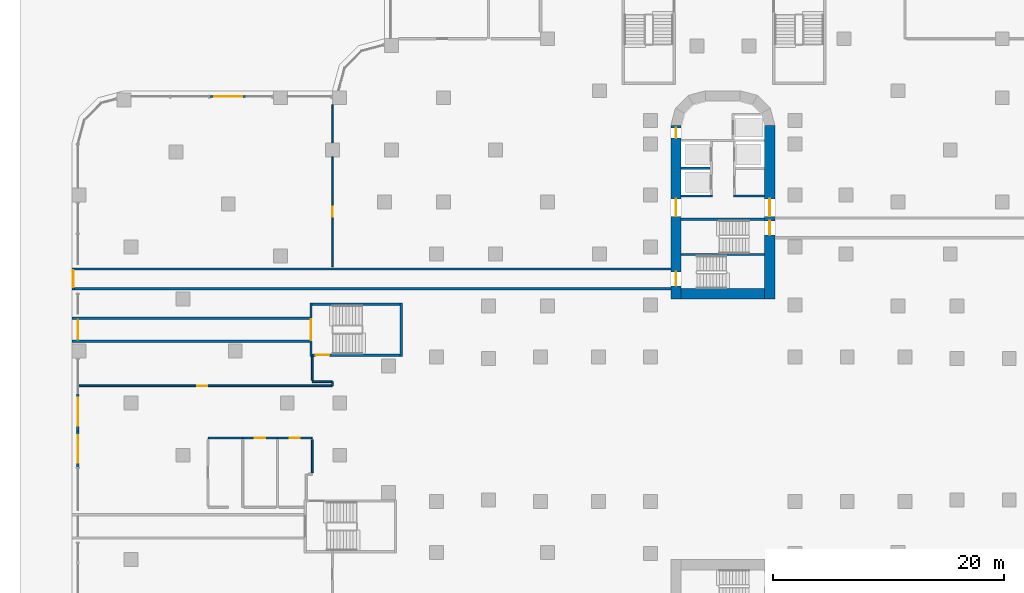
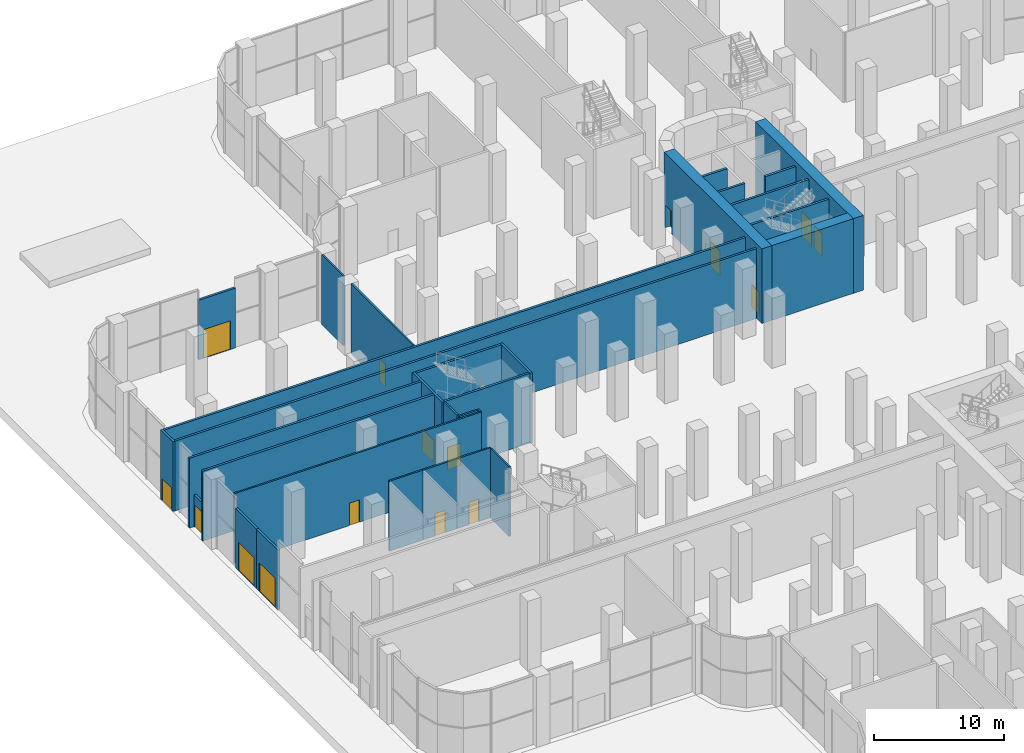
# One storey, part 24 of 34: 31 walls, 16 doors, 16 openings.
"""IFC4 building model written with IfcOpenShell, lengths in metres."""

from ifc_helpers import new_model, si_unit, direction, frame, frame_2d, origin, place, context, subcontext, project, spatial, rectangle, extrude, material, layer, layer_set, type_object, element, fill, save


model = new_model("IFC4")

# Units and contexts
model_context = context("Model", 3, precision=1e-05, world=origin(), true_north=direction((0.0, 1.0)))
body_context = subcontext(model_context, "Body", "Model", "MODEL_VIEW")
ifc_project = project(units=[si_unit("LENGTHUNIT", "METRE"), si_unit("AREAUNIT", "SQUARE_METRE"), si_unit("VOLUMEUNIT", "CUBIC_METRE"), si_unit("PLANEANGLEUNIT", "RADIAN"), si_unit("MASSUNIT", "GRAM", prefix="KILO")], contexts=[model_context])

# Site, building, storey
site_placement = place(None, origin())
site = spatial("IfcSite", under=ifc_project, at=site_placement, CompositionType="ELEMENT")
building_placement = place(site_placement, origin())
building = spatial("IfcBuilding", under=site, at=building_placement, Name="Zarbagh Exchange Tower", CompositionType="ELEMENT")
storey_placement = place(building_placement, origin())
storey = spatial("IfcBuildingStorey", under=building, at=storey_placement, Name="L00", CompositionType="ELEMENT", Elevation=0.0)

# Walls
ifc_material_1 = material(Name="Plasterboard partition")
ifc_layer_1 = layer(ifc_material_1, 0.14990234375)
ifc_layer_set_1 = layer_set([ifc_layer_1], Name="Board partition 150")
wall_type_1 = type_object("IfcWallType", Name="Board partition 150", PredefinedType="PARTITIONING", material=ifc_layer_set_1)
wall_1_placement = place(storey_placement, frame((-33.75, 4.10009765625, 0.0), z_axis=(0.0, 0.0, 1.0), x_axis=(-1.0, 0.0, 0.0)))
element("IfcWall", 1, at=wall_1_placement, inside=storey, type_object=wall_type_1, Name="WL-L00-W005", PredefinedType="PARTITIONING", context=body_context, shape_type="SweptSolid", body=[
    extrude(rectangle(XDim=1.75, YDim=0.14990234375, at=frame_2d((0.875, 0.0))), origin(), (0.0, 0.0, 1.0), 6.550048828125),
])
wall_2_placement = place(storey_placement, frame((-35.5, 4.25, 0.0), z_axis=(0.0, 0.0, 1.0), x_axis=(0.0, 1.0, 0.0)))
element("IfcWall", 2, at=wall_2_placement, inside=storey, type_object=wall_type_1, Name="WL-L00-W006", PredefinedType="PARTITIONING", context=body_context, shape_type="SweptSolid", body=[
    extrude(rectangle(XDim=2.050048828125, YDim=0.14990234375, at=frame_2d((1.02490234375, 0.0))), origin(), (0.0, 0.0, 1.0), 6.550048828125),
])
wall_3_placement = place(storey_placement, frame((-33.75, 28.050048828125, 0.0), z_axis=(0.0, 0.0, 1.0), x_axis=(0.0, -1.0, 0.0)))
element("IfcWall", 3, at=wall_3_placement, inside=storey, type_object=wall_type_1, Name="WL-L00-W033", PredefinedType="PARTITIONING", context=body_context, shape_type="SweptSolid", body=[
    extrude(rectangle(XDim=3.300048828125, YDim=0.14990234375, at=frame_2d((1.64990234375, 0.0))), origin(), (0.0, 0.0, 1.0), 6.550048828125),
])

# Wall, opening, door
wall_4_placement = place(storey_placement, frame((-33.75, 14.050048828125, 0.0), z_axis=(0.0, 0.0, 1.0), x_axis=(0.0, 1.0, 0.0)))
wall_4 = element("IfcWall", 4, at=wall_4_placement, inside=storey, type_object=wall_type_1, Name="WL-L00-W034", PredefinedType="PARTITIONING", context=body_context, shape_type="SweptSolid", body=[
    extrude(rectangle(XDim=9.5, YDim=0.14990234375, at=frame_2d((4.75, 0.0))), origin(), (0.0, 0.0, 1.0), 6.550048828125),
])
opening_1_placement = place(wall_4_placement, frame((4.300048828125, 0.0, 0.0)))
opening_1 = element("IfcOpeningElement", 5, at=opening_1_placement, cuts=wall_4, Name="Opening D14", PredefinedType="OPENING", context=body_context, shape_type="SweptSolid", body=[
    extrude(rectangle(XDim=0.89990234375, YDim=2.10009765625, at=frame_2d((0.449951171875, 1.050048828125))), frame((0.0, 0.0849609375, 0.0), z_axis=(0.0, -1.0, 0.0), x_axis=(1.0, 0.0, 0.0)), (0.0, 0.0, 1.0), 0.169921875),
])
ifc_material_2 = material(Name="Timber door leaf", Category="wood")
door_type_1 = type_object("IfcDoorType", Name="Door single 900x2100", OperationType="SINGLE_SWING_LEFT", PredefinedType="DOOR", material=ifc_material_2)
door_1_placement = place(opening_1_placement, origin())
door_1 = element("IfcDoor", 6, at=door_1_placement, inside=storey, type_object=door_type_1, Name="D14", OperationType="SINGLE_SWING_LEFT", OverallHeight=2.10009765625, OverallWidth=0.89990234375, PredefinedType="DOOR", context=body_context, shape_type="SweptSolid", body=[
    extrude(rectangle(XDim=0.89990234375, YDim=2.10009765625, at=frame_2d((0.449951171875, 1.050048828125))), frame((0.0, 0.02490234375, 0.0), z_axis=(0.0, -1.0, 0.0), x_axis=(1.0, 0.0, 0.0)), (0.0, 0.0, 1.0), 0.050048828125),
])
fill(opening_1, door_1)

# Wall
wall_5_placement = place(storey_placement, frame((-41.5, -0.75, 0.0), z_axis=(0.0, 0.0, 1.0), x_axis=(-1.0, 0.0, 0.0)))
element("IfcWall", 7, at=wall_5_placement, inside=storey, type_object=wall_type_1, Name="WL-L00-W036", PredefinedType="PARTITIONING", context=body_context, shape_type="SweptSolid", body=[
    extrude(rectangle(XDim=3.0, YDim=0.14990234375, at=frame_2d((1.5, 0.0))), origin(), (0.0, 0.0, 1.0), 6.550048828125),
])

# Wall, opening, door
wall_6_placement = place(storey_placement, frame((-38.5, -0.75, 0.0), z_axis=(0.0, 0.0, 1.0), x_axis=(-1.0, 0.0, 0.0)))
wall_6 = element("IfcWall", 8, at=wall_6_placement, inside=storey, type_object=wall_type_1, Name="WL-L00-W037", PredefinedType="PARTITIONING", context=body_context, shape_type="SweptSolid", body=[
    extrude(rectangle(XDim=3.0, YDim=0.14990234375, at=frame_2d((1.5, 0.0))), origin(), (0.0, 0.0, 1.0), 6.550048828125),
])
opening_2_placement = place(wall_6_placement, frame((1.050048828125, 0.0, 0.0)))
opening_2 = element("IfcOpeningElement", 9, at=opening_2_placement, cuts=wall_6, Name="Opening D16", PredefinedType="OPENING", context=body_context, shape_type="SweptSolid", body=[
    extrude(rectangle(XDim=0.89990234375, YDim=2.10009765625, at=frame_2d((0.449951171875, 1.050048828125))), frame((0.0, 0.0849609375, 0.0), z_axis=(0.0, -1.0, 0.0), x_axis=(1.0, 0.0, 0.0)), (0.0, 0.0, 1.0), 0.169921875),
])
door_2_placement = place(opening_2_placement, origin())
door_2 = element("IfcDoor", 10, at=door_2_placement, inside=storey, type_object=door_type_1, Name="D16", OperationType="SINGLE_SWING_LEFT", OverallHeight=2.10009765625, OverallWidth=0.89990234375, PredefinedType="DOOR", context=body_context, shape_type="SweptSolid", body=[
    extrude(rectangle(XDim=0.89990234375, YDim=2.10009765625, at=frame_2d((0.449951171875, 1.050048828125))), frame((0.0, 0.02490234375, 0.0), z_axis=(0.0, -1.0, 0.0), x_axis=(1.0, 0.0, 0.0)), (0.0, 0.0, 1.0), 0.050048828125),
])
fill(opening_2, door_2)

wall_7_placement = place(storey_placement, frame((-35.5, -0.75, 0.0), z_axis=(0.0, 0.0, 1.0), x_axis=(-1.0, 0.0, 0.0)))
wall_7 = element("IfcWall", 11, at=wall_7_placement, inside=storey, type_object=wall_type_1, Name="WL-L00-W038", PredefinedType="PARTITIONING", context=body_context, shape_type="SweptSolid", body=[
    extrude(rectangle(XDim=3.0, YDim=0.14990234375, at=frame_2d((1.5, 0.0))), origin(), (0.0, 0.0, 1.0), 6.550048828125),
])
opening_3_placement = place(wall_7_placement, frame((1.050048828125, 0.0, 0.0)))
opening_3 = element("IfcOpeningElement", 12, at=opening_3_placement, cuts=wall_7, Name="Opening D17", PredefinedType="OPENING", context=body_context, shape_type="SweptSolid", body=[
    extrude(rectangle(XDim=0.89990234375, YDim=2.10009765625, at=frame_2d((0.449951171875, 1.050048828125))), frame((0.0, 0.0849609375, 0.0), z_axis=(0.0, -1.0, 0.0), x_axis=(1.0, 0.0, 0.0)), (0.0, 0.0, 1.0), 0.169921875),
])
door_3_placement = place(opening_3_placement, origin())
door_3 = element("IfcDoor", 13, at=door_3_placement, inside=storey, type_object=door_type_1, Name="D17", OperationType="SINGLE_SWING_LEFT", OverallHeight=2.10009765625, OverallWidth=0.89990234375, PredefinedType="DOOR", context=body_context, shape_type="SweptSolid", body=[
    extrude(rectangle(XDim=0.89990234375, YDim=2.10009765625, at=frame_2d((0.449951171875, 1.050048828125))), frame((0.0, 0.02490234375, 0.0), z_axis=(0.0, -1.0, 0.0), x_axis=(1.0, 0.0, 0.0)), (0.0, 0.0, 1.0), 0.050048828125),
])
fill(opening_3, door_3)

wall_8_placement = place(storey_placement, frame((-55.64990234375, 3.75, 0.0), z_axis=(0.0, 0.0, 1.0), x_axis=(1.0, 0.0, 0.0)))
wall_8 = element("IfcWall", 14, at=wall_8_placement, inside=storey, type_object=wall_type_1, Name="WL-L00-W039", PredefinedType="PARTITIONING", context=body_context, shape_type="SweptSolid", body=[
    extrude(rectangle(XDim=21.89990234375, YDim=0.14990234375, at=frame_2d((10.949951171875, 0.0))), origin(), (0.0, 0.0, 1.0), 6.550048828125),
])
opening_4_placement = place(wall_8_placement, frame((10.199951171875, 0.0, 0.0)))
opening_4 = element("IfcOpeningElement", 15, at=opening_4_placement, cuts=wall_8, Name="Opening D18", PredefinedType="OPENING", context=body_context, shape_type="SweptSolid", body=[
    extrude(rectangle(XDim=0.89990234375, YDim=2.10009765625, at=frame_2d((0.449951171875, 1.050048828125))), frame((0.0, 0.0849609375, 0.0), z_axis=(0.0, -1.0, 0.0), x_axis=(1.0, 0.0, 0.0)), (0.0, 0.0, 1.0), 0.169921875),
])
door_4_placement = place(opening_4_placement, origin())
door_4 = element("IfcDoor", 16, at=door_4_placement, inside=storey, type_object=door_type_1, Name="D18", OperationType="SINGLE_SWING_LEFT", OverallHeight=2.10009765625, OverallWidth=0.89990234375, PredefinedType="DOOR", context=body_context, shape_type="SweptSolid", body=[
    extrude(rectangle(XDim=0.89990234375, YDim=2.10009765625, at=frame_2d((0.449951171875, 1.050048828125))), frame((0.0, 0.02490234375, 0.0), z_axis=(0.0, -1.0, 0.0), x_axis=(1.0, 0.0, 0.0)), (0.0, 0.0, 1.0), 0.050048828125),
])
fill(opening_4, door_4)

# Walls
wall_9_placement = place(storey_placement, frame((-35.5, -0.89990234375, 0.0), z_axis=(0.0, 0.0, 1.0), x_axis=(0.0, -1.0, 0.0)))
element("IfcWall", 17, at=wall_9_placement, inside=storey, type_object=wall_type_1, Name="WL-L00-W046", PredefinedType="PARTITIONING", context=body_context, shape_type="SweptSolid", body=[
    extrude(rectangle(XDim=2.85009765625, YDim=0.14990234375, at=frame_2d((1.425048828125, 0.0))), origin(), (0.0, 0.0, 1.0), 6.550048828125),
])
wall_10_placement = place(storey_placement, frame((-33.75, 4.10009765625, 0.0), z_axis=(0.0, 0.0, 1.0), x_axis=(0.0, -1.0, 0.0)))
element("IfcWall", 18, at=wall_10_placement, inside=storey, type_object=wall_type_1, Name="WL-L00-W047", PredefinedType="PARTITIONING", context=body_context, shape_type="SweptSolid", body=[
    extrude(rectangle(XDim=0.35009765625, YDim=0.14990234375, at=frame_2d((0.175048828125, 0.0))), origin(), (0.0, 0.0, 1.0), 6.550048828125),
])

# Wall, openings, doors
ifc_material_3 = material(Name="Concrete C60/75", Category="concrete")
ifc_layer_2 = layer(ifc_material_3, 0.89990234375)
ifc_layer_set_2 = layer_set([ifc_layer_2], Name="RC core wall 900 C60/75")
wall_type_2 = type_object("IfcWallType", Name="RC core wall 900 C60/75", PredefinedType="SHEAR", material=ifc_layer_set_2)
wall_11_placement = place(storey_placement, frame((-4.050048828125, 11.25, 0.0), z_axis=(0.0, 0.0, 1.0), x_axis=(0.0, 1.0, 0.0)))
wall_11 = element("IfcWall", 19, at=wall_11_placement, inside=storey, type_object=wall_type_2, Name="CW1 core N W", PredefinedType="SHEAR", context=body_context, shape_type="SweptSolid", body=[
    extrude(rectangle(XDim=15.0, YDim=0.89990234375, at=frame_2d((7.5, 0.0))), origin(), (0.0, 0.0, 1.0), 7.0),
])
opening_5_placement = place(wall_11_placement, frame((7.14990234375, 0.0, 0.0)))
opening_5 = element("IfcOpeningElement", 20, at=opening_5_placement, cuts=wall_11, Name="Opening CD1-1500", PredefinedType="OPENING", context=body_context, shape_type="SweptSolid", body=[
    extrude(rectangle(XDim=1.5, YDim=2.300048828125, at=frame_2d((0.75, 1.14990234375))), frame((0.0, 0.4599609375, 0.0), z_axis=(0.0, -1.0, 0.0), x_axis=(1.0, 0.0, 0.0)), (0.0, 0.0, 1.0), 0.919921875),
])
opening_6_placement = place(wall_11_placement, frame((13.89990234375, 0.0, 0.0)))
opening_6 = element("IfcOpeningElement", 21, at=opening_6_placement, cuts=wall_11, Name="Opening CD2-900", PredefinedType="OPENING", context=body_context, shape_type="SweptSolid", body=[
    extrude(rectangle(XDim=0.89990234375, YDim=2.10009765625, at=frame_2d((0.449951171875, 1.050048828125))), frame((0.0, 0.4599609375, 0.0), z_axis=(0.0, -1.0, 0.0), x_axis=(1.0, 0.0, 0.0)), (0.0, 0.0, 1.0), 0.919921875),
])
opening_7_placement = place(wall_11_placement, frame((1.14990234375, 0.0, 0.0)))
opening_7 = element("IfcOpeningElement", 22, at=opening_7_placement, cuts=wall_11, Name="Opening SD1-1200", PredefinedType="OPENING", context=body_context, shape_type="SweptSolid", body=[
    extrude(rectangle(XDim=1.199951171875, YDim=2.10009765625, at=frame_2d((0.60009765625, 1.050048828125))), frame((0.0, 0.4599609375, 0.0), z_axis=(0.0, -1.0, 0.0), x_axis=(1.0, 0.0, 0.0)), (0.0, 0.0, 1.0), 0.919921875),
])
ifc_material_4 = material(Name="Steel", Category="steel")
door_type_2 = type_object("IfcDoorType", Name="Exit stair door 1200 x 2100", OperationType="NOTDEFINED", PredefinedType="DOOR", material=ifc_material_4)
door_5_placement = place(opening_7_placement, origin())
door_5 = element("IfcDoor", 23, at=door_5_placement, inside=storey, type_object=door_type_2, Name="North core stair door ST2", OperationType="SINGLE_SWING_LEFT", OverallHeight=2.10009765625, OverallWidth=1.199951171875, PredefinedType="DOOR", context=body_context, shape_type="SweptSolid", body=[
    extrude(rectangle(XDim=1.199951171875, YDim=2.10009765625, at=frame_2d((0.60009765625, 1.050048828125))), frame((0.0, 0.02490234375, 0.0), z_axis=(0.0, -1.0, 0.0), x_axis=(1.0, 0.0, 0.0)), (0.0, 0.0, 1.0), 0.050048828125),
])
fill(opening_7, door_5)
door_type_3 = type_object("IfcDoorType", Name="Firefighting lobby door 900 x 2100", OperationType="NOTDEFINED", PredefinedType="DOOR", material=ifc_material_4)
door_6_placement = place(opening_6_placement, origin())
door_6 = element("IfcDoor", 24, at=door_6_placement, inside=storey, type_object=door_type_3, Name="North core firefighting lobby door FF-W", OperationType="SINGLE_SWING_LEFT", OverallHeight=2.10009765625, OverallWidth=0.89990234375, PredefinedType="DOOR", context=body_context, shape_type="SweptSolid", body=[
    extrude(rectangle(XDim=0.89990234375, YDim=2.10009765625, at=frame_2d((0.449951171875, 1.050048828125))), frame((0.0, 0.02490234375, 0.0), z_axis=(0.0, -1.0, 0.0), x_axis=(1.0, 0.0, 0.0)), (0.0, 0.0, 1.0), 0.050048828125),
])
fill(opening_6, door_6)
door_type_4 = type_object("IfcDoorType", Name="Lift lobby double door 1500 x 2300", OperationType="NOTDEFINED", PredefinedType="DOOR", material=ifc_material_4)
door_7_placement = place(opening_5_placement, origin())
door_7 = element("IfcDoor", 25, at=door_7_placement, inside=storey, type_object=door_type_4, Name="North core lift lobby door LOBBY-W", OperationType="DOUBLE_DOOR_SINGLE_SWING", OverallHeight=2.300048828125, OverallWidth=1.5, PredefinedType="DOOR", context=body_context, shape_type="SweptSolid", body=[
    extrude(rectangle(XDim=1.5, YDim=2.300048828125, at=frame_2d((0.75, 1.14990234375))), frame((0.0, 0.02490234375, 0.0), z_axis=(0.0, -1.0, 0.0), x_axis=(1.0, 0.0, 0.0)), (0.0, 0.0, 1.0), 0.050048828125),
])
fill(opening_5, door_7)

wall_12_placement = place(storey_placement, frame((4.050048828125, 11.25, 0.0), z_axis=(0.0, 0.0, 1.0), x_axis=(0.0, 1.0, 0.0)))
wall_12 = element("IfcWall", 26, at=wall_12_placement, inside=storey, type_object=wall_type_2, Name="CW1 core N E", PredefinedType="SHEAR", context=body_context, shape_type="SweptSolid", body=[
    extrude(rectangle(XDim=15.0, YDim=0.89990234375, at=frame_2d((7.5, 0.0))), origin(), (0.0, 0.0, 1.0), 7.0),
])
opening_8_placement = place(wall_12_placement, frame((7.14990234375, 0.0, 0.0)))
opening_8 = element("IfcOpeningElement", 27, at=opening_8_placement, cuts=wall_12, Name="Opening CD1-1500", PredefinedType="OPENING", context=body_context, shape_type="SweptSolid", body=[
    extrude(rectangle(XDim=1.5, YDim=2.300048828125, at=frame_2d((0.75, 1.14990234375))), frame((0.0, 0.4599609375, 0.0), z_axis=(0.0, -1.0, 0.0), x_axis=(1.0, 0.0, 0.0)), (0.0, 0.0, 1.0), 0.919921875),
])
opening_9_placement = place(wall_12_placement, frame((5.550048828125, 0.0, 0.0)))
opening_9 = element("IfcOpeningElement", 28, at=opening_9_placement, cuts=wall_12, Name="Opening SD1-1200", PredefinedType="OPENING", context=body_context, shape_type="SweptSolid", body=[
    extrude(rectangle(XDim=1.199951171875, YDim=2.10009765625, at=frame_2d((0.60009765625, 1.050048828125))), frame((0.0, 0.4599609375, 0.0), z_axis=(0.0, -1.0, 0.0), x_axis=(1.0, 0.0, 0.0)), (0.0, 0.0, 1.0), 0.919921875),
])
door_8_placement = place(opening_9_placement, origin())
door_8 = element("IfcDoor", 29, at=door_8_placement, inside=storey, type_object=door_type_2, Name="North core stair door ST1", OperationType="SINGLE_SWING_RIGHT", OverallHeight=2.10009765625, OverallWidth=1.199951171875, PredefinedType="DOOR", context=body_context, shape_type="SweptSolid", body=[
    extrude(rectangle(XDim=1.199951171875, YDim=2.10009765625, at=frame_2d((0.60009765625, 1.050048828125))), frame((0.0, 0.02490234375, 0.0), z_axis=(0.0, -1.0, 0.0), x_axis=(1.0, 0.0, 0.0)), (0.0, 0.0, 1.0), 0.050048828125),
])
fill(opening_9, door_8)
door_9_placement = place(opening_8_placement, origin())
door_9 = element("IfcDoor", 30, at=door_9_placement, inside=storey, type_object=door_type_4, Name="North core lift lobby door LOBBY-E", OperationType="DOUBLE_DOOR_SINGLE_SWING", OverallHeight=2.300048828125, OverallWidth=1.5, PredefinedType="DOOR", context=body_context, shape_type="SweptSolid", body=[
    extrude(rectangle(XDim=1.5, YDim=2.300048828125, at=frame_2d((0.75, 1.14990234375))), frame((0.0, 0.02490234375, 0.0), z_axis=(0.0, -1.0, 0.0), x_axis=(1.0, 0.0, 0.0)), (0.0, 0.0, 1.0), 0.050048828125),
])
fill(opening_8, door_9)

# Walls
wall_13_placement = place(storey_placement, frame((-3.60009765625, 11.699951171875, 0.0), z_axis=(0.0, 0.0, 1.0), x_axis=(1.0, 0.0, 0.0)))
element("IfcWall", 31, at=wall_13_placement, inside=storey, type_object=wall_type_2, Name="CW1 core N inner end", PredefinedType="SHEAR", context=body_context, shape_type="SweptSolid", body=[
    extrude(rectangle(XDim=7.2001953125, YDim=0.89990234375, at=frame_2d((3.60009765625, 0.0))), origin(), (0.0, 0.0, 1.0), 7.0),
])
ifc_material_5 = material(Name="Dense blockwork", Category="masonry")
ifc_layer_3 = layer(ifc_material_5, 0.199951171875)
ifc_layer_set_3 = layer_set([ifc_layer_3], Name="Shaft wall 200 mm blockwork")
wall_type_3 = type_object("IfcWallType", Name="Shaft wall 200 mm blockwork", PredefinedType="PARTITIONING", material=ifc_layer_set_3)
for number, where, z_axis, x_axis, name in (
    (32, (-3.60009765625, 20.14990234375, 0.0), (0.0, 0.0, 1.0), (1.0, 0.0, 0.0), "North core shaft wall AB-W"),
    (33, (0.89990234375, 20.14990234375, 0.0), (0.0, 0.0, 1.0), (1.0, 0.0, 0.0), "North core shaft wall AB-E"),
):
    element("IfcWall", number, at=place(storey_placement, frame(where, z_axis=z_axis, x_axis=x_axis)), inside=storey, type_object=wall_type_3, Name=name, PredefinedType="PARTITIONING", context=body_context, shape_type="SweptSolid", body=[
        extrude(rectangle(XDim=2.7001953125, YDim=0.199951171875, at=frame_2d((1.35009765625, 0.0))), origin(), (0.0, 0.0, 1.0), 6.550048828125),
    ])
wall_14_placement = place(storey_placement, frame((-3.60009765625, 22.550048828125, 0.0), z_axis=(0.0, 0.0, 1.0), x_axis=(1.0, 0.0, 0.0)))
element("IfcWall", 34, at=wall_14_placement, inside=storey, type_object=wall_type_3, Name="North core shaft wall TR-W", PredefinedType="PARTITIONING", context=body_context, shape_type="SweptSolid", body=[
    extrude(rectangle(XDim=2.5, YDim=0.199951171875, at=frame_2d((1.25, 0.0))), origin(), (0.0, 0.0, 1.0), 6.550048828125),
])
for number, where, z_axis, x_axis, name in (
    (35, (-4.5, 12.14990234375, 0.0), (0.0, 0.0, 1.0), (-1.0, 0.0, 0.0), "Exit passage ST2 wall A"),
    (36, (-4.5, 13.85009765625, 0.0), (0.0, 0.0, 1.0), (-1.0, 0.0, 0.0), "Exit passage ST2 wall B"),
):
    element("IfcWall", number, at=place(storey_placement, frame(where, z_axis=z_axis, x_axis=x_axis)), inside=storey, type_object=wall_type_3, Name=name, PredefinedType="PARTITIONING", context=body_context, shape_type="SweptSolid", body=[
        extrude(rectangle(XDim=51.550048828125, YDim=0.199951171875, at=frame_2d((25.77490234375, 0.0))), origin(), (0.0, 0.0, 1.0), 6.550048828125),
    ])

# Wall, opening, door
wall_15_placement = place(storey_placement, frame((-56.14990234375, 12.050048828125, 0.0), z_axis=(0.0, 0.0, 1.0), x_axis=(0.0, 1.0, 0.0)))
wall_15 = element("IfcWall", 37, at=wall_15_placement, inside=storey, type_object=wall_type_3, Name="Exit passage ST2 wall E", PredefinedType="PARTITIONING", context=body_context, shape_type="SweptSolid", body=[
    extrude(rectangle(XDim=1.89990234375, YDim=0.199951171875, at=frame_2d((0.949951171875, 0.0))), origin(), (0.0, 0.0, 1.0), 6.550048828125),
])
opening_10_placement = place(wall_15_placement, frame((0.199951171875, 0.0, 0.0)))
opening_10 = element("IfcOpeningElement", 38, at=opening_10_placement, cuts=wall_15, Name="Opening XD1-1500", PredefinedType="OPENING", context=body_context, shape_type="SweptSolid", body=[
    extrude(rectangle(XDim=1.5, YDim=2.10009765625, at=frame_2d((0.75, 1.050048828125))), frame((0.0, 0.10986328125, 0.0), z_axis=(0.0, -1.0, 0.0), x_axis=(1.0, 0.0, 0.0)), (0.0, 0.0, 1.0), 0.219970703125),
])
door_type_5 = type_object("IfcDoorType", Name="Exit passage double door 1500 x 2100", OperationType="NOTDEFINED", PredefinedType="DOOR", material=ifc_material_4)
door_10_placement = place(opening_10_placement, origin())
door_10 = element("IfcDoor", 39, at=door_10_placement, inside=storey, type_object=door_type_5, Name="Exit passage ST2 door", OperationType="DOUBLE_DOOR_DOUBLE_SWING", OverallHeight=2.10009765625, OverallWidth=1.5, PredefinedType="DOOR", context=body_context, shape_type="SweptSolid", body=[
    extrude(rectangle(XDim=1.5, YDim=2.10009765625, at=frame_2d((0.75, 1.050048828125))), frame((0.0, 0.02490234375, 0.0), z_axis=(0.0, -1.0, 0.0), x_axis=(1.0, 0.0, 0.0)), (0.0, 0.0, 1.0), 0.050048828125),
])
fill(opening_10, door_10)

# Walls
for number, where, z_axis, x_axis, name in (
    (40, (-56.25, 7.60009765625, 0.0), (0.0, 0.0, 1.0), (1.0, 0.0, 0.0), "Exit passage PS5 wall A"),
    (41, (-56.25, 9.60009765625, 0.0), (0.0, 0.0, 1.0), (1.0, 0.0, 0.0), "Exit passage PS5 wall B"),
):
    element("IfcWall", number, at=place(storey_placement, frame(where, z_axis=z_axis, x_axis=x_axis)), inside=storey, type_object=wall_type_3, Name=name, PredefinedType="PARTITIONING", context=body_context, shape_type="SweptSolid", body=[
        extrude(rectangle(XDim=20.75, YDim=0.199951171875, at=frame_2d((10.375, 0.0))), origin(), (0.0, 0.0, 1.0), 6.550048828125),
    ])
ifc_material_6 = material(Name="Concrete C40/50", Category="concrete")
ifc_layer_4 = layer(ifc_material_6, 0.199951171875)
ifc_layer_set_4 = layer_set([ifc_layer_4], Name="Stair enclosure wall 200 mm RC C40/50")
wall_type_4 = type_object("IfcWallType", Name="Stair enclosure wall 200 mm RC C40/50", PredefinedType="SHEAR", material=ifc_layer_set_4)
for number, where, z_axis, x_axis, name in (
    (42, (-3.60009765625, 18.14990234375, 0.0), (0.0, 0.0, 1.0), (1.0, 0.0, 0.0), "North core stair wall BS"),
    (43, (-3.60009765625, 15.10009765625, 0.0), (0.0, 0.0, 1.0), (1.0, 0.0, 0.0), "North core stair wall ST12"),
):
    element("IfcWall", number, at=place(storey_placement, frame(where, z_axis=z_axis, x_axis=x_axis)), inside=storey, type_object=wall_type_4, Name=name, PredefinedType="SHEAR", context=body_context, shape_type="SweptSolid", body=[
        extrude(rectangle(XDim=7.2001953125, YDim=0.199951171875, at=frame_2d((3.60009765625, 0.0))), origin(), (0.0, 0.0, 1.0), 6.550048828125),
    ])

# Wall, opening, door
wall_16_placement = place(storey_placement, frame((-35.60009765625, 6.300048828125, 0.0), z_axis=(0.0, 0.0, 1.0), x_axis=(0.0, 1.0, 0.0)))
wall_16 = element("IfcWall", 44, at=wall_16_placement, inside=storey, type_object=wall_type_4, Name="Exit stair PS5 enclosure wall W", PredefinedType="SHEAR", context=body_context, shape_type="SweptSolid", body=[
    extrude(rectangle(XDim=4.599853515625, YDim=0.199951171875, at=frame_2d((2.2998046875, 0.0))), origin(), (0.0, 0.0, 1.0), 6.550048828125),
])
opening_11_placement = place(wall_16_placement, frame((1.39990234375, 0.0, 0.0)))
opening_11 = element("IfcOpeningElement", 45, at=opening_11_placement, cuts=wall_16, Name="Opening XD2-1800", PredefinedType="OPENING", context=body_context, shape_type="SweptSolid", body=[
    extrude(rectangle(XDim=1.800048828125, YDim=2.10009765625, at=frame_2d((0.89990234375, 1.050048828125))), frame((0.0, 0.10986328125, 0.0), z_axis=(0.0, -1.0, 0.0), x_axis=(1.0, 0.0, 0.0)), (0.0, 0.0, 1.0), 0.219970703125),
])
door_type_6 = type_object("IfcDoorType", Name="Exit stair discharge door 1800 x 2100", OperationType="NOTDEFINED", PredefinedType="DOOR", material=ifc_material_4)
door_11_placement = place(opening_11_placement, origin())
door_11 = element("IfcDoor", 46, at=door_11_placement, inside=storey, type_object=door_type_6, Name="Exit stair PS5 discharge door", OperationType="DOUBLE_DOOR_SINGLE_SWING", OverallHeight=2.10009765625, OverallWidth=1.800048828125, PredefinedType="DOOR", context=body_context, shape_type="SweptSolid", body=[
    extrude(rectangle(XDim=1.800048828125, YDim=2.10009765625, at=frame_2d((0.89990234375, 1.050048828125))), frame((0.0, 0.02490234375, 0.0), z_axis=(0.0, -1.0, 0.0), x_axis=(1.0, 0.0, 0.0)), (0.0, 0.0, 1.0), 0.050048828125),
])
fill(opening_11, door_11)

# Wall
wall_17_placement = place(storey_placement, frame((-27.800048828125, 6.300048828125, 0.0), z_axis=(0.0, 0.0, 1.0), x_axis=(0.0, 1.0, 0.0)))
element("IfcWall", 47, at=wall_17_placement, inside=storey, type_object=wall_type_4, Name="Exit stair PS5 enclosure wall E", PredefinedType="SHEAR", context=body_context, shape_type="SweptSolid", body=[
    extrude(rectangle(XDim=4.599853515625, YDim=0.199951171875, at=frame_2d((2.2998046875, 0.0))), origin(), (0.0, 0.0, 1.0), 6.550048828125),
])

# Wall, opening, door
wall_18_placement = place(storey_placement, frame((-35.5, 6.39990234375, 0.0), z_axis=(0.0, 0.0, 1.0), x_axis=(1.0, 0.0, 0.0)))
wall_18 = element("IfcWall", 48, at=wall_18_placement, inside=storey, type_object=wall_type_4, Name="Exit stair PS5 enclosure wall S", PredefinedType="SHEAR", context=body_context, shape_type="SweptSolid", body=[
    extrude(rectangle(XDim=7.60009765625, YDim=0.199951171875, at=frame_2d((3.800048828125, 0.0))), origin(), (0.0, 0.0, 1.0), 6.550048828125),
])
opening_12_placement = place(wall_18_placement, frame((0.300048828125, 0.0, 0.0)))
opening_12 = element("IfcOpeningElement", 49, at=opening_12_placement, cuts=wall_18, Name="Opening SD1-1200", PredefinedType="OPENING", context=body_context, shape_type="SweptSolid", body=[
    extrude(rectangle(XDim=1.199951171875, YDim=2.10009765625, at=frame_2d((0.60009765625, 1.050048828125))), frame((0.0, 0.10986328125, 0.0), z_axis=(0.0, -1.0, 0.0), x_axis=(1.0, 0.0, 0.0)), (0.0, 0.0, 1.0), 0.219970703125),
])
door_12_placement = place(opening_12_placement, origin())
door_12 = element("IfcDoor", 50, at=door_12_placement, inside=storey, type_object=door_type_2, Name="Exit stair PS5 entry door", OperationType="SINGLE_SWING_RIGHT", OverallHeight=2.10009765625, OverallWidth=1.199951171875, PredefinedType="DOOR", context=body_context, shape_type="SweptSolid", body=[
    extrude(rectangle(XDim=1.199951171875, YDim=2.10009765625, at=frame_2d((0.60009765625, 1.050048828125))), frame((0.0, 0.02490234375, 0.0), z_axis=(0.0, -1.0, 0.0), x_axis=(1.0, 0.0, 0.0)), (0.0, 0.0, 1.0), 0.050048828125),
])
fill(opening_12, door_12)

# Wall
wall_19_placement = place(storey_placement, frame((-35.5, 10.800048828125, 0.0), z_axis=(0.0, 0.0, 1.0), x_axis=(1.0, 0.0, 0.0)))
element("IfcWall", 51, at=wall_19_placement, inside=storey, type_object=wall_type_4, Name="Exit stair PS5 enclosure wall N", PredefinedType="SHEAR", context=body_context, shape_type="SweptSolid", body=[
    extrude(rectangle(XDim=7.60009765625, YDim=0.199951171875, at=frame_2d((3.800048828125, 0.0))), origin(), (0.0, 0.0, 1.0), 6.550048828125),
])

# Wall, opening, door
ifc_material_7 = material(Name="Precast concrete C50/60", Category="concrete")
ifc_layer_5 = layer(ifc_material_7, 0.199951171875)
ifc_layer_set_5 = layer_set([ifc_layer_5], Name="Terrace door wall, precast concrete C50/60")
wall_type_5 = type_object("IfcWallType", Name="Terrace door wall, precast concrete C50/60", PredefinedType="SOLIDWALL", material=ifc_layer_set_5)
wall_20_placement = place(storey_placement, frame((-44.389892578125, 28.75, 0.0), z_axis=(0.0, 0.0, 1.0), x_axis=(1.0, 0.0, 0.0)))
wall_20 = element("IfcWall", 52, at=wall_20_placement, inside=storey, type_object=wall_type_5, Name="EW01 exterior wall", PredefinedType="SOLIDWALL", context=body_context, shape_type="SweptSolid", body=[
    extrude(rectangle(XDim=3.27978515625, YDim=0.199951171875, at=frame_2d((1.639892578125, 0.0))), origin(), (0.0, 0.0, 1.0), 5.60009765625),
])
opening_13_placement = place(wall_20_placement, frame((0.43994140625, 0.0, 0.0)))
opening_13 = element("IfcOpeningElement", 53, at=opening_13_placement, cuts=wall_20, Name="Opening ED01", PredefinedType="OPENING", context=body_context, shape_type="SweptSolid", body=[
    extrude(rectangle(XDim=2.39990234375, YDim=2.699951171875, at=frame_2d((1.199951171875, 1.35009765625))), frame((0.0, 0.10986328125, 0.0), z_axis=(0.0, -1.0, 0.0), x_axis=(1.0, 0.0, 0.0)), (0.0, 0.0, 1.0), 0.219970703125),
])
ifc_material_8 = material(Name="Anodised aluminium and glass", Category="aluminium")
door_type_7 = type_object("IfcDoorType", Name="Entrance door, double leaf, glazed aluminium", OperationType="DOUBLE_DOOR_DOUBLE_SWING", PredefinedType="DOOR", material=ifc_material_8)
door_13_placement = place(opening_13_placement, origin())
door_13 = element("IfcDoor", 54, at=door_13_placement, inside=storey, type_object=door_type_7, Name="ED01 exterior door", OperationType="SINGLE_SWING_LEFT", OverallHeight=2.699951171875, OverallWidth=2.39990234375, PredefinedType="DOOR", context=body_context, shape_type="SweptSolid", body=[
    extrude(rectangle(XDim=2.39990234375, YDim=2.699951171875, at=frame_2d((1.199951171875, 1.35009765625))), frame((0.0, 0.02490234375, 0.0), z_axis=(0.0, -1.0, 0.0), x_axis=(1.0, 0.0, 0.0)), (0.0, 0.0, 1.0), 0.050048828125),
])
fill(opening_13, door_13)

wall_21_placement = place(storey_placement, frame((-55.75, -0.139892578125, 0.0), z_axis=(0.0, 0.0, 1.0), x_axis=(0.0, 1.0, 0.0)))
wall_21 = element("IfcWall", 55, at=wall_21_placement, inside=storey, type_object=wall_type_5, Name="EW01 exterior wall", PredefinedType="SOLIDWALL", context=body_context, shape_type="SweptSolid", body=[
    extrude(rectangle(XDim=3.27978515625, YDim=0.199951171875, at=frame_2d((1.639892578125, 0.0))), origin(), (0.0, 0.0, 1.0), 5.60009765625),
])
opening_14_placement = place(wall_21_placement, frame((0.43994140625, 0.0, 0.0)))
opening_14 = element("IfcOpeningElement", 56, at=opening_14_placement, cuts=wall_21, Name="Opening ED01", PredefinedType="OPENING", context=body_context, shape_type="SweptSolid", body=[
    extrude(rectangle(XDim=2.39990234375, YDim=2.699951171875, at=frame_2d((1.199951171875, 1.35009765625))), frame((0.0, 0.10986328125, 0.0), z_axis=(0.0, -1.0, 0.0), x_axis=(1.0, 0.0, 0.0)), (0.0, 0.0, 1.0), 0.219970703125),
])
door_14_placement = place(opening_14_placement, origin())
door_14 = element("IfcDoor", 57, at=door_14_placement, inside=storey, type_object=door_type_7, Name="ED01 exterior door", OperationType="SINGLE_SWING_LEFT", OverallHeight=2.699951171875, OverallWidth=2.39990234375, PredefinedType="DOOR", context=body_context, shape_type="SweptSolid", body=[
    extrude(rectangle(XDim=2.39990234375, YDim=2.699951171875, at=frame_2d((1.199951171875, 1.35009765625))), frame((0.0, 0.02490234375, 0.0), z_axis=(0.0, -1.0, 0.0), x_axis=(1.0, 0.0, 0.0)), (0.0, 0.0, 1.0), 0.050048828125),
])
fill(opening_14, door_14)

wall_22_placement = place(storey_placement, frame((-55.75, -3.340087890625, 0.0), z_axis=(0.0, 0.0, 1.0), x_axis=(0.0, 1.0, 0.0)))
wall_22 = element("IfcWall", 58, at=wall_22_placement, inside=storey, type_object=wall_type_5, Name="EW01 exterior wall", PredefinedType="SOLIDWALL", context=body_context, shape_type="SweptSolid", body=[
    extrude(rectangle(XDim=3.280029296875, YDim=0.199951171875, at=frame_2d((1.64013671875, 0.0))), origin(), (0.0, 0.0, 1.0), 5.60009765625),
])
opening_15_placement = place(wall_22_placement, frame((0.43994140625, 0.0, 0.0)))
opening_15 = element("IfcOpeningElement", 59, at=opening_15_placement, cuts=wall_22, Name="Opening ED01", PredefinedType="OPENING", context=body_context, shape_type="SweptSolid", body=[
    extrude(rectangle(XDim=2.39990234375, YDim=2.699951171875, at=frame_2d((1.199951171875, 1.35009765625))), frame((0.0, 0.10986328125, 0.0), z_axis=(0.0, -1.0, 0.0), x_axis=(1.0, 0.0, 0.0)), (0.0, 0.0, 1.0), 0.219970703125),
])
door_15_placement = place(opening_15_placement, origin())
door_15 = element("IfcDoor", 60, at=door_15_placement, inside=storey, type_object=door_type_7, Name="ED01 exterior door", OperationType="SINGLE_SWING_LEFT", OverallHeight=2.699951171875, OverallWidth=2.39990234375, PredefinedType="DOOR", context=body_context, shape_type="SweptSolid", body=[
    extrude(rectangle(XDim=2.39990234375, YDim=2.699951171875, at=frame_2d((1.199951171875, 1.35009765625))), frame((0.0, 0.02490234375, 0.0), z_axis=(0.0, -1.0, 0.0), x_axis=(1.0, 0.0, 0.0)), (0.0, 0.0, 1.0), 0.050048828125),
])
fill(opening_15, door_15)

wall_23_placement = place(storey_placement, frame((-55.75, 7.699951171875, 0.0), z_axis=(0.0, 0.0, 1.0), x_axis=(0.0, 1.0, 0.0)))
wall_23 = element("IfcWall", 61, at=wall_23_placement, inside=storey, type_object=wall_type_5, Name="XW02 stair discharge wall", PredefinedType="SOLIDWALL", context=body_context, shape_type="SweptSolid", body=[
    extrude(rectangle(XDim=1.800048828125, YDim=0.199951171875, at=frame_2d((0.89990234375, 0.0))), origin(), (0.0, 0.0, 1.0), 3.0),
])
opening_16_placement = place(wall_23_placement, frame((0.050048828125, 0.0, 0.0)))
opening_16 = element("IfcOpeningElement", 62, at=opening_16_placement, cuts=wall_23, Name="Opening XD02", PredefinedType="OPENING", context=body_context, shape_type="SweptSolid", body=[
    extrude(rectangle(XDim=1.699951171875, YDim=2.10009765625, at=frame_2d((0.85009765625, 1.050048828125))), frame((0.0, 0.10986328125, 0.0), z_axis=(0.0, -1.0, 0.0), x_axis=(1.0, 0.0, 0.0)), (0.0, 0.0, 1.0), 0.219970703125),
])
ifc_material_9 = material(Name="Galvanised steel", Category="steel")
door_type_8 = type_object("IfcDoorType", Name="Stair discharge door, double leaf, steel", OperationType="DOUBLE_DOOR_DOUBLE_SWING", PredefinedType="DOOR", material=ifc_material_9)
door_16_placement = place(opening_16_placement, origin())
door_16 = element("IfcDoor", 63, at=door_16_placement, inside=storey, type_object=door_type_8, Name="XD02 stair discharge door", OperationType="SINGLE_SWING_LEFT", OverallHeight=2.10009765625, OverallWidth=1.699951171875, PredefinedType="DOOR", context=body_context, shape_type="SweptSolid", body=[
    extrude(rectangle(XDim=1.699951171875, YDim=2.10009765625, at=frame_2d((0.85009765625, 1.050048828125))), frame((0.0, 0.02490234375, 0.0), z_axis=(0.0, -1.0, 0.0), x_axis=(1.0, 0.0, 0.0)), (0.0, 0.0, 1.0), 0.050048828125),
])
fill(opening_16, door_16)

save(model, "model.ifc")
